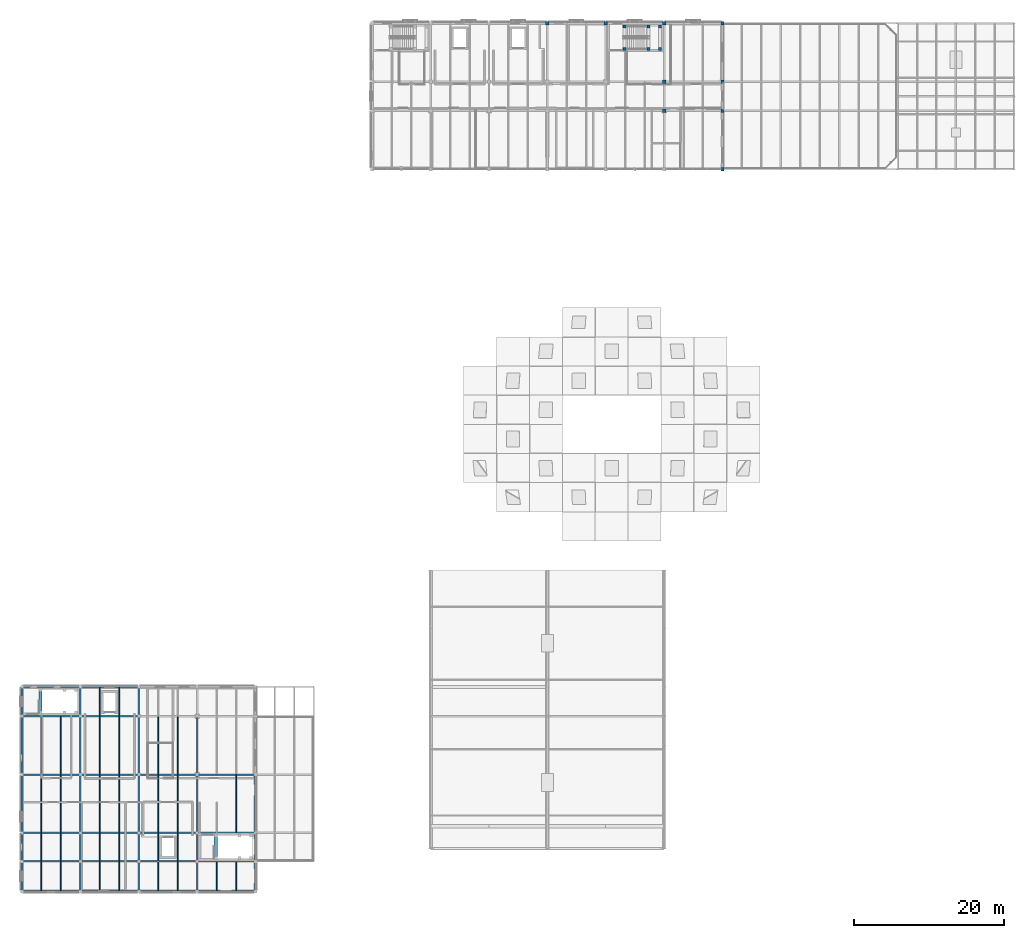
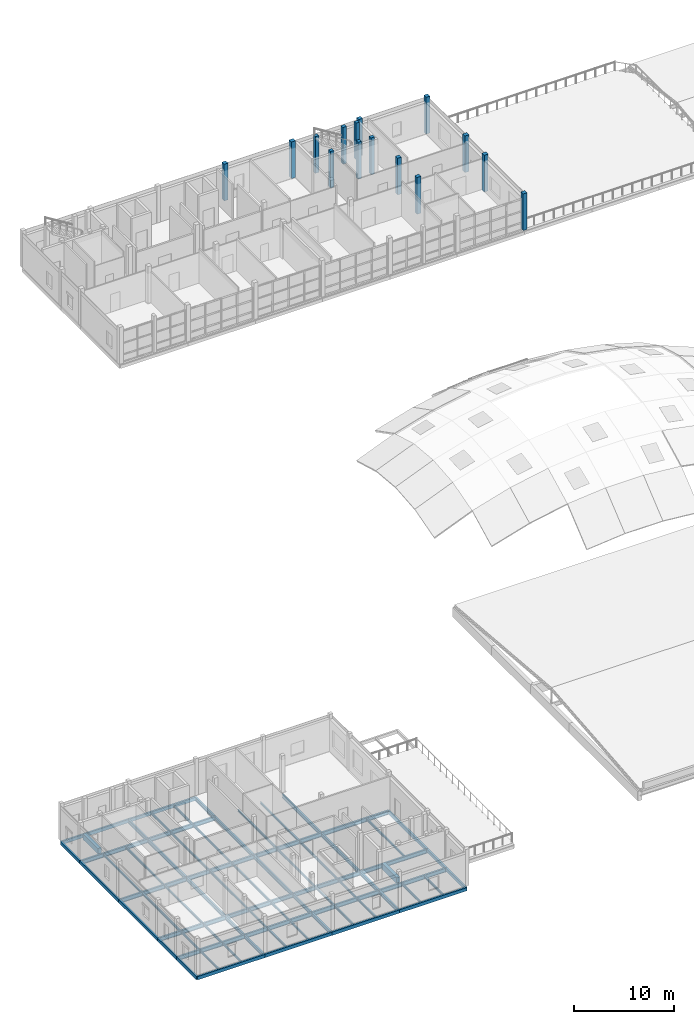
# One storey, part 2 of 45: 73 beams, 15 columns.
"""IFC4 building model written with IfcOpenShell, lengths in metres."""

from ifc_helpers import new_model, si_unit, direction, frame, origin, origin_2d, place, context, subcontext, project, spatial, rectangle, hollow_rectangle, i_section, extrude, material, material_profile, profile_set, type_object, element, save


model = new_model("IFC4")

# Units and contexts
model_context = context("Model", 3, precision=1e-05, world=origin(), true_north=direction((0.0, 1.0)))
body_context = subcontext(model_context, "Body", "Model", "MODEL_VIEW")
ifc_project = project(units=[si_unit("LENGTHUNIT", "METRE"), si_unit("AREAUNIT", "SQUARE_METRE"), si_unit("VOLUMEUNIT", "CUBIC_METRE"), si_unit("PLANEANGLEUNIT", "RADIAN"), si_unit("MASSUNIT", "GRAM", prefix="KILO")], contexts=[model_context])

# Site, building, storey
site_placement = place(None, origin())
site = spatial("IfcSite", under=ifc_project, at=site_placement, CompositionType="ELEMENT")
building_placement = place(site_placement, origin())
building = spatial("IfcBuilding", under=site, at=building_placement, Name="Celorna Specialist Clinic", CompositionType="ELEMENT")
storey_placement = place(building_placement, frame((0.0, 0.0, 18.60009765625)))
storey = spatial("IfcBuildingStorey", under=building, at=storey_placement, Name="L04", CompositionType="ELEMENT", Elevation=18.60009765625)

# Columns
ifc_material_1 = material(Name="Concrete C35/45", Category="concrete")
ifc_material_profile_1 = material_profile(ifc_material_1, rectangle(XDim=0.449951171875, YDim=0.449951171875, at=origin_2d()), Name="RC 450x450")
ifc_profile_set_1 = profile_set([ifc_material_profile_1], Name="Concrete C35/45")
column_type_1 = type_object("IfcColumnType", Name="CT-07", PredefinedType="COLUMN", material=ifc_profile_set_1)
for number, where, z_axis, x_axis, name in (
    (1, (70.199951171875, 116.0, 0.0), (0.0, 0.0, 1.0), (1.0, 0.0, 0.0), "Column CT-07 L04 X10/YU"),
    (2, (78.0, 116.0, 0.0), (0.0, 0.0, 1.0), (1.0, 0.0, 0.0), "Column CT-07 L04 X11/YU"),
    (3, (85.800048828125, 104.300048828125, 0.0), (0.0, 0.0, 1.0), (1.0, 0.0, 0.0), "Column CT-07 L04 X12/YS"),
    (4, (85.800048828125, 108.199951171875, 0.0), (0.0, 0.0, 1.0), (1.0, 0.0, 0.0), "Column CT-07 L04 X12/YT"),
    (5, (85.800048828125, 116.0, 0.0), (0.0, 0.0, 1.0), (1.0, 0.0, 0.0), "Column CT-07 L04 X12/YU"),
    (6, (93.60009765625, 96.5, 0.0), (0.0, 0.0, 1.0), (1.0, 0.0, 0.0), "Column CT-07 L04 X13/YR"),
    (7, (93.60009765625, 104.300048828125, 0.0), (0.0, 0.0, 1.0), (1.0, 0.0, 0.0), "Column CT-07 L04 X13/YS"),
    (8, (93.60009765625, 108.199951171875, 0.0), (0.0, 0.0, 1.0), (1.0, 0.0, 0.0), "Column CT-07 L04 X13/YT"),
    (9, (93.60009765625, 116.0, 0.0), (0.0, 0.0, 1.0), (1.0, 0.0, 0.0), "Column CT-07 L04 X13/YU"),
):
    element("IfcColumn", number, at=place(storey_placement, frame(where, z_axis=z_axis, x_axis=x_axis)), inside=storey, type_object=column_type_1, Name=name, PredefinedType="COLUMN", context=body_context, shape_type="SweptSolid", body=[
        extrude(rectangle(XDim=0.449951171875, YDim=0.449951171875, at=origin_2d()), origin(), (0.0, 0.0, 1.0), 4.5),
    ])
ifc_material_profile_2 = material_profile(ifc_material_1, rectangle(XDim=0.39990234375, YDim=0.39990234375, at=origin_2d()), Name="RC 400x400")
ifc_profile_set_2 = profile_set([ifc_material_profile_2], Name="Concrete C35/45")
column_type_2 = type_object("IfcColumnType", Name="CT-08", PredefinedType="COLUMN", material=ifc_profile_set_2)
for number, where, z_axis, x_axis, name in (
    (10, (80.52001953125, 112.570068359375, 0.0), (0.0, 0.0, 1.0), (1.0, 0.0, 0.0), "Stair ST-02 landing column CT-08 L04 X11/YU"),
    (11, (80.52001953125, 115.570068359375, 0.0), (0.0, 0.0, 1.0), (1.0, 0.0, 0.0), "Stair ST-02 landing column CT-08 L04 X11/YU"),
    (12, (83.719970703125, 112.570068359375, 0.0), (0.0, 0.0, 1.0), (1.0, 0.0, 0.0), "Stair ST-02 landing column CT-08 L04 X12/YU"),
    (13, (83.719970703125, 115.570068359375, 0.0), (0.0, 0.0, 1.0), (1.0, 0.0, 0.0), "Stair ST-02 landing column CT-08 L04 X12/YU"),
    (14, (85.239990234375, 112.570068359375, 0.0), (0.0, 0.0, 1.0), (1.0, 0.0, 0.0), "Stair ST-02 landing column CT-08 L04 X12/YU"),
    (15, (85.239990234375, 115.570068359375, 0.0), (0.0, 0.0, 1.0), (1.0, 0.0, 0.0), "Stair ST-02 landing column CT-08 L04 X12/YU"),
):
    element("IfcColumn", number, at=place(storey_placement, frame(where, z_axis=z_axis, x_axis=x_axis)), inside=storey, type_object=column_type_2, Name=name, PredefinedType="COLUMN", context=body_context, shape_type="SweptSolid", body=[
        extrude(rectangle(XDim=0.39990234375, YDim=0.39990234375, at=origin_2d()), origin(), (0.0, 0.0, 1.0), 4.5),
    ])

# Beams
ifc_material_2 = material(Name="Steel S355", Category="steel")
ifc_material_profile_3 = material_profile(ifc_material_2, i_section(OverallWidth=0.199951171875, OverallDepth=0.5, WebThickness=0.01025390625, FlangeThickness=0.01611328125, at=origin_2d()), Name="IPE 500")
ifc_profile_set_3 = profile_set([ifc_material_profile_3], Name="Steel S355")
beam_type_1 = type_object("IfcBeamType", Name="BM-08", PredefinedType="BEAM", material=ifc_profile_set_3)
for number, where, z_axis, x_axis, name in (
    (16, (0.0, 4.0, -0.530029296875), (1.0, 0.0, 0.0), (0.0, 1.0, 0.0), "Primary girder BM-08 #1934"),
    (17, (7.800048828125, 4.0, -0.530029296875), (1.0, 0.0, 0.0), (0.0, 1.0, 0.0), "Primary girder BM-08 #1935"),
):
    element("IfcBeam", number, at=place(storey_placement, frame(where, z_axis=z_axis, x_axis=x_axis)), inside=storey, type_object=beam_type_1, Name=name, PredefinedType="BEAM", context=body_context, shape_type="SweptSolid", body=[
        extrude(i_section(OverallWidth=0.199951171875, OverallDepth=0.5, WebThickness=0.01025390625, FlangeThickness=0.01611328125, at=origin_2d()), origin(), (0.0, 0.0, 1.0), 7.800048828125),
    ])
beam_1_placement = place(storey_placement, frame((15.60009765625, 4.0, -0.530029296875), z_axis=(1.0, 0.0, 0.0), x_axis=(0.0, 1.0, 0.0)))
element("IfcBeam", 18, at=beam_1_placement, inside=storey, type_object=beam_type_1, Name="Primary girder BM-08 #1936", PredefinedType="BEAM", context=body_context, shape_type="SweptSolid", body=[
    extrude(i_section(OverallWidth=0.199951171875, OverallDepth=0.5, WebThickness=0.01025390625, FlangeThickness=0.01611328125, at=origin_2d()), origin(), (0.0, 0.0, 1.0), 7.7998046875),
])
for number, where, z_axis, x_axis, name in (
    (19, (23.39990234375, 4.0, -0.530029296875), (1.0, 0.0, 0.0), (0.0, 1.0, 0.0), "Primary girder BM-08 #1937"),
    (20, (0.0, 7.800048828125, -0.530029296875), (1.0, 0.0, 0.0), (0.0, 1.0, 0.0), "Primary girder BM-08 #1938"),
    (21, (7.800048828125, 7.800048828125, -0.530029296875), (1.0, 0.0, 0.0), (0.0, 1.0, 0.0), "Primary girder BM-08 #1939"),
):
    element("IfcBeam", number, at=place(storey_placement, frame(where, z_axis=z_axis, x_axis=x_axis)), inside=storey, type_object=beam_type_1, Name=name, PredefinedType="BEAM", context=body_context, shape_type="SweptSolid", body=[
        extrude(i_section(OverallWidth=0.199951171875, OverallDepth=0.5, WebThickness=0.01025390625, FlangeThickness=0.01611328125, at=origin_2d()), origin(), (0.0, 0.0, 1.0), 7.800048828125),
    ])
beam_2_placement = place(storey_placement, frame((15.60009765625, 7.800048828125, -0.530029296875), z_axis=(1.0, 0.0, 0.0), x_axis=(0.0, 1.0, 0.0)))
element("IfcBeam", 22, at=beam_2_placement, inside=storey, type_object=beam_type_1, Name="Primary girder BM-08 #1940", PredefinedType="BEAM", context=body_context, shape_type="SweptSolid", body=[
    extrude(i_section(OverallWidth=0.199951171875, OverallDepth=0.5, WebThickness=0.01025390625, FlangeThickness=0.01611328125, at=origin_2d()), origin(), (0.0, 0.0, 1.0), 7.7998046875),
])
for number, where, z_axis, x_axis, name in (
    (23, (23.39990234375, 7.800048828125, -0.530029296875), (1.0, 0.0, 0.0), (0.0, 1.0, 0.0), "Primary girder BM-08 #1941"),
    (24, (0.0, 15.60009765625, -0.530029296875), (1.0, 0.0, 0.0), (0.0, 1.0, 0.0), "Primary girder BM-08 #1942"),
    (25, (7.800048828125, 15.60009765625, -0.530029296875), (1.0, 0.0, 0.0), (0.0, 1.0, 0.0), "Primary girder BM-08 #1943"),
):
    element("IfcBeam", number, at=place(storey_placement, frame(where, z_axis=z_axis, x_axis=x_axis)), inside=storey, type_object=beam_type_1, Name=name, PredefinedType="BEAM", context=body_context, shape_type="SweptSolid", body=[
        extrude(i_section(OverallWidth=0.199951171875, OverallDepth=0.5, WebThickness=0.01025390625, FlangeThickness=0.01611328125, at=origin_2d()), origin(), (0.0, 0.0, 1.0), 7.800048828125),
    ])
beam_3_placement = place(storey_placement, frame((15.60009765625, 15.60009765625, -0.530029296875), z_axis=(1.0, 0.0, 0.0), x_axis=(0.0, 1.0, 0.0)))
element("IfcBeam", 26, at=beam_3_placement, inside=storey, type_object=beam_type_1, Name="Primary girder BM-08 #1944", PredefinedType="BEAM", context=body_context, shape_type="SweptSolid", body=[
    extrude(i_section(OverallWidth=0.199951171875, OverallDepth=0.5, WebThickness=0.01025390625, FlangeThickness=0.01611328125, at=origin_2d()), origin(), (0.0, 0.0, 1.0), 7.7998046875),
])
for number, where, z_axis, x_axis, name in (
    (27, (23.39990234375, 15.60009765625, -0.530029296875), (1.0, 0.0, 0.0), (0.0, 1.0, 0.0), "Primary girder BM-08 #1945"),
    (28, (0.0, 23.39990234375, -0.530029296875), (1.0, 0.0, 0.0), (0.0, 1.0, 0.0), "Primary girder BM-08 #1946"),
    (29, (7.800048828125, 23.39990234375, -0.530029296875), (1.0, 0.0, 0.0), (0.0, 1.0, 0.0), "Primary girder BM-08 #1947"),
):
    element("IfcBeam", number, at=place(storey_placement, frame(where, z_axis=z_axis, x_axis=x_axis)), inside=storey, type_object=beam_type_1, Name=name, PredefinedType="BEAM", context=body_context, shape_type="SweptSolid", body=[
        extrude(i_section(OverallWidth=0.199951171875, OverallDepth=0.5, WebThickness=0.01025390625, FlangeThickness=0.01611328125, at=origin_2d()), origin(), (0.0, 0.0, 1.0), 7.800048828125),
    ])
ifc_material_profile_4 = material_profile(ifc_material_2, i_section(OverallWidth=0.18994140625, OverallDepth=0.449951171875, WebThickness=0.009521484375, FlangeThickness=0.0146484375, at=origin_2d()), Name="IPE 450")
ifc_profile_set_4 = profile_set([ifc_material_profile_4], Name="Steel S355")
beam_type_2 = type_object("IfcBeamType", Name="BM-09", PredefinedType="BEAM", material=ifc_profile_set_4)
beam_4_placement = place(storey_placement, frame((7.800048828125, 0.0, -0.505126953125), z_axis=(0.0, 1.0, 0.0), x_axis=(-1.0, 0.0, 0.0)))
element("IfcBeam", 30, at=beam_4_placement, inside=storey, type_object=beam_type_2, Name="Transverse girder BM-09 #1959", PredefinedType="BEAM", context=body_context, shape_type="SweptSolid", body=[
    extrude(i_section(OverallWidth=0.18994140625, OverallDepth=0.449951171875, WebThickness=0.009521484375, FlangeThickness=0.0146484375, at=origin_2d()), origin(), (0.0, 0.0, 1.0), 4.0),
])
beam_5_placement = place(storey_placement, frame((7.800048828125, 4.0, -0.505126953125), z_axis=(0.0, 1.0, 0.0), x_axis=(-1.0, 0.0, 0.0)))
element("IfcBeam", 31, at=beam_5_placement, inside=storey, type_object=beam_type_2, Name="Transverse girder BM-09 #1960", PredefinedType="BEAM", context=body_context, shape_type="SweptSolid", body=[
    extrude(i_section(OverallWidth=0.18994140625, OverallDepth=0.449951171875, WebThickness=0.009521484375, FlangeThickness=0.0146484375, at=origin_2d()), origin(), (0.0, 0.0, 1.0), 3.800048828125),
])
beam_6_placement = place(storey_placement, frame((7.800048828125, 7.800048828125, -0.505126953125), z_axis=(0.0, 1.0, 0.0), x_axis=(-1.0, 0.0, 0.0)))
element("IfcBeam", 32, at=beam_6_placement, inside=storey, type_object=beam_type_2, Name="Transverse girder BM-09 #1961", PredefinedType="BEAM", context=body_context, shape_type="SweptSolid", body=[
    extrude(i_section(OverallWidth=0.18994140625, OverallDepth=0.449951171875, WebThickness=0.009521484375, FlangeThickness=0.0146484375, at=origin_2d()), origin(), (0.0, 0.0, 1.0), 7.800048828125),
])
beam_7_placement = place(storey_placement, frame((7.800048828125, 15.60009765625, -0.505126953125), z_axis=(0.0, 1.0, 0.0), x_axis=(-1.0, 0.0, 0.0)))
element("IfcBeam", 33, at=beam_7_placement, inside=storey, type_object=beam_type_2, Name="Transverse girder BM-09 #1962", PredefinedType="BEAM", context=body_context, shape_type="SweptSolid", body=[
    extrude(i_section(OverallWidth=0.18994140625, OverallDepth=0.449951171875, WebThickness=0.009521484375, FlangeThickness=0.0146484375, at=origin_2d()), origin(), (0.0, 0.0, 1.0), 7.7998046875),
])
beam_8_placement = place(storey_placement, frame((7.800048828125, 23.39990234375, -0.505126953125), z_axis=(0.0, 1.0, 0.0), x_axis=(-1.0, 0.0, 0.0)))
element("IfcBeam", 34, at=beam_8_placement, inside=storey, type_object=beam_type_2, Name="Transverse girder BM-09 #1963", PredefinedType="BEAM", context=body_context, shape_type="SweptSolid", body=[
    extrude(i_section(OverallWidth=0.18994140625, OverallDepth=0.449951171875, WebThickness=0.009521484375, FlangeThickness=0.0146484375, at=origin_2d()), origin(), (0.0, 0.0, 1.0), 3.900146484375),
])
beam_9_placement = place(storey_placement, frame((15.60009765625, 0.0, -0.505126953125), z_axis=(0.0, 1.0, 0.0), x_axis=(-1.0, 0.0, 0.0)))
element("IfcBeam", 35, at=beam_9_placement, inside=storey, type_object=beam_type_2, Name="Transverse girder BM-09 #1964", PredefinedType="BEAM", context=body_context, shape_type="SweptSolid", body=[
    extrude(i_section(OverallWidth=0.18994140625, OverallDepth=0.449951171875, WebThickness=0.009521484375, FlangeThickness=0.0146484375, at=origin_2d()), origin(), (0.0, 0.0, 1.0), 4.0),
])
beam_10_placement = place(storey_placement, frame((15.60009765625, 4.0, -0.505126953125), z_axis=(0.0, 1.0, 0.0), x_axis=(-1.0, 0.0, 0.0)))
element("IfcBeam", 36, at=beam_10_placement, inside=storey, type_object=beam_type_2, Name="Transverse girder BM-09 #1965", PredefinedType="BEAM", context=body_context, shape_type="SweptSolid", body=[
    extrude(i_section(OverallWidth=0.18994140625, OverallDepth=0.449951171875, WebThickness=0.009521484375, FlangeThickness=0.0146484375, at=origin_2d()), origin(), (0.0, 0.0, 1.0), 3.800048828125),
])
beam_11_placement = place(storey_placement, frame((15.60009765625, 7.800048828125, -0.505126953125), z_axis=(0.0, 1.0, 0.0), x_axis=(-1.0, 0.0, 0.0)))
element("IfcBeam", 37, at=beam_11_placement, inside=storey, type_object=beam_type_2, Name="Transverse girder BM-09 #1966", PredefinedType="BEAM", context=body_context, shape_type="SweptSolid", body=[
    extrude(i_section(OverallWidth=0.18994140625, OverallDepth=0.449951171875, WebThickness=0.009521484375, FlangeThickness=0.0146484375, at=origin_2d()), origin(), (0.0, 0.0, 1.0), 7.800048828125),
])
beam_12_placement = place(storey_placement, frame((15.60009765625, 15.60009765625, -0.505126953125), z_axis=(0.0, 1.0, 0.0), x_axis=(-1.0, 0.0, 0.0)))
element("IfcBeam", 38, at=beam_12_placement, inside=storey, type_object=beam_type_2, Name="Transverse girder BM-09 #1967", PredefinedType="BEAM", context=body_context, shape_type="SweptSolid", body=[
    extrude(i_section(OverallWidth=0.18994140625, OverallDepth=0.449951171875, WebThickness=0.009521484375, FlangeThickness=0.0146484375, at=origin_2d()), origin(), (0.0, 0.0, 1.0), 7.7998046875),
])
beam_13_placement = place(storey_placement, frame((15.60009765625, 23.39990234375, -0.505126953125), z_axis=(0.0, 1.0, 0.0), x_axis=(-1.0, 0.0, 0.0)))
element("IfcBeam", 39, at=beam_13_placement, inside=storey, type_object=beam_type_2, Name="Transverse girder BM-09 #1968", PredefinedType="BEAM", context=body_context, shape_type="SweptSolid", body=[
    extrude(i_section(OverallWidth=0.18994140625, OverallDepth=0.449951171875, WebThickness=0.009521484375, FlangeThickness=0.0146484375, at=origin_2d()), origin(), (0.0, 0.0, 1.0), 3.900146484375),
])
beam_14_placement = place(storey_placement, frame((23.39990234375, 0.0, -0.505126953125), z_axis=(0.0, 1.0, 0.0), x_axis=(-1.0, 0.0, 0.0)))
element("IfcBeam", 40, at=beam_14_placement, inside=storey, type_object=beam_type_2, Name="Transverse girder BM-09 #1969", PredefinedType="BEAM", context=body_context, shape_type="SweptSolid", body=[
    extrude(i_section(OverallWidth=0.18994140625, OverallDepth=0.449951171875, WebThickness=0.009521484375, FlangeThickness=0.0146484375, at=origin_2d()), origin(), (0.0, 0.0, 1.0), 4.0),
])
beam_15_placement = place(storey_placement, frame((23.39990234375, 4.0, -0.505126953125), z_axis=(0.0, 1.0, 0.0), x_axis=(-1.0, 0.0, 0.0)))
element("IfcBeam", 41, at=beam_15_placement, inside=storey, type_object=beam_type_2, Name="Transverse girder BM-09 #1970", PredefinedType="BEAM", context=body_context, shape_type="SweptSolid", body=[
    extrude(i_section(OverallWidth=0.18994140625, OverallDepth=0.449951171875, WebThickness=0.009521484375, FlangeThickness=0.0146484375, at=origin_2d()), origin(), (0.0, 0.0, 1.0), 3.800048828125),
])
beam_16_placement = place(storey_placement, frame((23.39990234375, 7.800048828125, -0.505126953125), z_axis=(0.0, 1.0, 0.0), x_axis=(-1.0, 0.0, 0.0)))
element("IfcBeam", 42, at=beam_16_placement, inside=storey, type_object=beam_type_2, Name="Transverse girder BM-09 #1971", PredefinedType="BEAM", context=body_context, shape_type="SweptSolid", body=[
    extrude(i_section(OverallWidth=0.18994140625, OverallDepth=0.449951171875, WebThickness=0.009521484375, FlangeThickness=0.0146484375, at=origin_2d()), origin(), (0.0, 0.0, 1.0), 7.800048828125),
])
beam_17_placement = place(storey_placement, frame((23.39990234375, 15.60009765625, -0.505126953125), z_axis=(0.0, 1.0, 0.0), x_axis=(-1.0, 0.0, 0.0)))
element("IfcBeam", 43, at=beam_17_placement, inside=storey, type_object=beam_type_2, Name="Transverse girder BM-09 #1972", PredefinedType="BEAM", context=body_context, shape_type="SweptSolid", body=[
    extrude(i_section(OverallWidth=0.18994140625, OverallDepth=0.449951171875, WebThickness=0.009521484375, FlangeThickness=0.0146484375, at=origin_2d()), origin(), (0.0, 0.0, 1.0), 7.7998046875),
])
ifc_material_profile_5 = material_profile(ifc_material_2, i_section(OverallWidth=0.135009765625, OverallDepth=0.27001953125, WebThickness=0.006591796875, FlangeThickness=0.01025390625, at=origin_2d()), Name="IPE 270")
ifc_profile_set_5 = profile_set([ifc_material_profile_5], Name="Steel S355")
beam_type_3 = type_object("IfcBeamType", Name="BM-14", PredefinedType="JOIST", material=ifc_profile_set_5)
for number, where, z_axis, x_axis, name in (
    (44, (2.60009765625, 0.087890625, -0.4150390625), (0.0, 1.0, 0.0), (-1.0, 0.0, 0.0), "Secondary floor joist BM-14 #1979"),
    (45, (5.199951171875, 0.087890625, -0.4150390625), (0.0, 1.0, 0.0), (-1.0, 0.0, 0.0), "Secondary floor joist BM-14 #1980"),
):
    element("IfcBeam", number, at=place(storey_placement, frame(where, z_axis=z_axis, x_axis=x_axis)), inside=storey, type_object=beam_type_3, Name=name, PredefinedType="JOIST", context=body_context, shape_type="SweptSolid", body=[
        extrude(i_section(OverallWidth=0.135009765625, OverallDepth=0.27001953125, WebThickness=0.006591796875, FlangeThickness=0.01025390625, at=origin_2d()), origin(), (0.0, 0.0, 1.0), 3.82421875),
    ])
for number, where, z_axis, x_axis, name in (
    (46, (2.60009765625, 4.087890625, -0.4150390625), (0.0, 1.0, 0.0), (-1.0, 0.0, 0.0), "Secondary floor joist BM-14 #1981"),
    (47, (5.199951171875, 4.087890625, -0.4150390625), (0.0, 1.0, 0.0), (-1.0, 0.0, 0.0), "Secondary floor joist BM-14 #1982"),
):
    element("IfcBeam", number, at=place(storey_placement, frame(where, z_axis=z_axis, x_axis=x_axis)), inside=storey, type_object=beam_type_3, Name=name, PredefinedType="JOIST", context=body_context, shape_type="SweptSolid", body=[
        extrude(i_section(OverallWidth=0.135009765625, OverallDepth=0.27001953125, WebThickness=0.006591796875, FlangeThickness=0.01025390625, at=origin_2d()), origin(), (0.0, 0.0, 1.0), 3.6240234375),
    ])
for number, where, z_axis, x_axis, name in (
    (48, (2.60009765625, 7.887939453125, -0.4150390625), (0.0, 1.0, 0.0), (-1.0, 0.0, 0.0), "Secondary floor joist BM-14 #1983"),
    (49, (5.199951171875, 7.887939453125, -0.4150390625), (0.0, 1.0, 0.0), (-1.0, 0.0, 0.0), "Secondary floor joist BM-14 #1984"),
    (50, (2.60009765625, 15.68798828125, -0.4150390625), (0.0, 1.0, 0.0), (-1.0, 0.0, 0.0), "Secondary floor joist BM-14 #1985"),
    (51, (5.199951171875, 15.68798828125, -0.4150390625), (0.0, 1.0, 0.0), (-1.0, 0.0, 0.0), "Secondary floor joist BM-14 #1986"),
):
    element("IfcBeam", number, at=place(storey_placement, frame(where, z_axis=z_axis, x_axis=x_axis)), inside=storey, type_object=beam_type_3, Name=name, PredefinedType="JOIST", context=body_context, shape_type="SweptSolid", body=[
        extrude(i_section(OverallWidth=0.135009765625, OverallDepth=0.27001953125, WebThickness=0.006591796875, FlangeThickness=0.01025390625, at=origin_2d()), origin(), (0.0, 0.0, 1.0), 7.6240234375),
    ])
for number, where, z_axis, x_axis, name in (
    (52, (10.39990234375, 0.087890625, -0.4150390625), (0.0, 1.0, 0.0), (-1.0, 0.0, 0.0), "Secondary floor joist BM-14 #1987"),
    (53, (13.0, 0.087890625, -0.4150390625), (0.0, 1.0, 0.0), (-1.0, 0.0, 0.0), "Secondary floor joist BM-14 #1988"),
):
    element("IfcBeam", number, at=place(storey_placement, frame(where, z_axis=z_axis, x_axis=x_axis)), inside=storey, type_object=beam_type_3, Name=name, PredefinedType="JOIST", context=body_context, shape_type="SweptSolid", body=[
        extrude(i_section(OverallWidth=0.135009765625, OverallDepth=0.27001953125, WebThickness=0.006591796875, FlangeThickness=0.01025390625, at=origin_2d()), origin(), (0.0, 0.0, 1.0), 3.82421875),
    ])
for number, where, z_axis, x_axis, name in (
    (54, (10.39990234375, 4.087890625, -0.4150390625), (0.0, 1.0, 0.0), (-1.0, 0.0, 0.0), "Secondary floor joist BM-14 #1989"),
    (55, (13.0, 4.087890625, -0.4150390625), (0.0, 1.0, 0.0), (-1.0, 0.0, 0.0), "Secondary floor joist BM-14 #1990"),
):
    element("IfcBeam", number, at=place(storey_placement, frame(where, z_axis=z_axis, x_axis=x_axis)), inside=storey, type_object=beam_type_3, Name=name, PredefinedType="JOIST", context=body_context, shape_type="SweptSolid", body=[
        extrude(i_section(OverallWidth=0.135009765625, OverallDepth=0.27001953125, WebThickness=0.006591796875, FlangeThickness=0.01025390625, at=origin_2d()), origin(), (0.0, 0.0, 1.0), 3.6240234375),
    ])
for number, where, z_axis, x_axis, name in (
    (56, (10.39990234375, 7.887939453125, -0.4150390625), (0.0, 1.0, 0.0), (-1.0, 0.0, 0.0), "Secondary floor joist BM-14 #1991"),
    (57, (13.0, 7.887939453125, -0.4150390625), (0.0, 1.0, 0.0), (-1.0, 0.0, 0.0), "Secondary floor joist BM-14 #1992"),
    (58, (10.39990234375, 15.68798828125, -0.4150390625), (0.0, 1.0, 0.0), (-1.0, 0.0, 0.0), "Secondary floor joist BM-14 #1993"),
    (59, (13.0, 15.68798828125, -0.4150390625), (0.0, 1.0, 0.0), (-1.0, 0.0, 0.0), "Secondary floor joist BM-14 #1994"),
):
    element("IfcBeam", number, at=place(storey_placement, frame(where, z_axis=z_axis, x_axis=x_axis)), inside=storey, type_object=beam_type_3, Name=name, PredefinedType="JOIST", context=body_context, shape_type="SweptSolid", body=[
        extrude(i_section(OverallWidth=0.135009765625, OverallDepth=0.27001953125, WebThickness=0.006591796875, FlangeThickness=0.01025390625, at=origin_2d()), origin(), (0.0, 0.0, 1.0), 7.6240234375),
    ])
for number, where, z_axis, x_axis, name in (
    (60, (10.39990234375, 23.488037109375, -0.4150390625), (0.0, 1.0, 0.0), (-1.0, 0.0, 0.0), "Secondary floor joist BM-14 #1995"),
    (61, (13.0, 23.488037109375, -0.4150390625), (0.0, 1.0, 0.0), (-1.0, 0.0, 0.0), "Secondary floor joist BM-14 #1996"),
):
    element("IfcBeam", number, at=place(storey_placement, frame(where, z_axis=z_axis, x_axis=x_axis)), inside=storey, type_object=beam_type_3, Name=name, PredefinedType="JOIST", context=body_context, shape_type="SweptSolid", body=[
        extrude(i_section(OverallWidth=0.135009765625, OverallDepth=0.27001953125, WebThickness=0.006591796875, FlangeThickness=0.01025390625, at=origin_2d()), origin(), (0.0, 0.0, 1.0), 3.723876953125),
    ])
for number, where, z_axis, x_axis, name in (
    (62, (18.199951171875, 0.087890625, -0.4150390625), (0.0, 1.0, 0.0), (-1.0, 0.0, 0.0), "Secondary floor joist BM-14 #1997"),
    (63, (20.800048828125, 0.087890625, -0.4150390625), (0.0, 1.0, 0.0), (-1.0, 0.0, 0.0), "Secondary floor joist BM-14 #1998"),
):
    element("IfcBeam", number, at=place(storey_placement, frame(where, z_axis=z_axis, x_axis=x_axis)), inside=storey, type_object=beam_type_3, Name=name, PredefinedType="JOIST", context=body_context, shape_type="SweptSolid", body=[
        extrude(i_section(OverallWidth=0.135009765625, OverallDepth=0.27001953125, WebThickness=0.006591796875, FlangeThickness=0.01025390625, at=origin_2d()), origin(), (0.0, 0.0, 1.0), 3.82421875),
    ])
for number, where, z_axis, x_axis, name in (
    (64, (18.199951171875, 4.087890625, -0.4150390625), (0.0, 1.0, 0.0), (-1.0, 0.0, 0.0), "Secondary floor joist BM-14 #1999"),
    (65, (20.800048828125, 4.087890625, -0.4150390625), (0.0, 1.0, 0.0), (-1.0, 0.0, 0.0), "Secondary floor joist BM-14 #2000"),
):
    element("IfcBeam", number, at=place(storey_placement, frame(where, z_axis=z_axis, x_axis=x_axis)), inside=storey, type_object=beam_type_3, Name=name, PredefinedType="JOIST", context=body_context, shape_type="SweptSolid", body=[
        extrude(i_section(OverallWidth=0.135009765625, OverallDepth=0.27001953125, WebThickness=0.006591796875, FlangeThickness=0.01025390625, at=origin_2d()), origin(), (0.0, 0.0, 1.0), 3.6240234375),
    ])
for number, where, z_axis, x_axis, name in (
    (66, (18.199951171875, 7.887939453125, -0.4150390625), (0.0, 1.0, 0.0), (-1.0, 0.0, 0.0), "Secondary floor joist BM-14 #2001"),
    (67, (20.800048828125, 7.887939453125, -0.4150390625), (0.0, 1.0, 0.0), (-1.0, 0.0, 0.0), "Secondary floor joist BM-14 #2002"),
    (68, (18.199951171875, 15.68798828125, -0.4150390625), (0.0, 1.0, 0.0), (-1.0, 0.0, 0.0), "Secondary floor joist BM-14 #2003"),
    (69, (20.800048828125, 15.68798828125, -0.4150390625), (0.0, 1.0, 0.0), (-1.0, 0.0, 0.0), "Secondary floor joist BM-14 #2004"),
):
    element("IfcBeam", number, at=place(storey_placement, frame(where, z_axis=z_axis, x_axis=x_axis)), inside=storey, type_object=beam_type_3, Name=name, PredefinedType="JOIST", context=body_context, shape_type="SweptSolid", body=[
        extrude(i_section(OverallWidth=0.135009765625, OverallDepth=0.27001953125, WebThickness=0.006591796875, FlangeThickness=0.01025390625, at=origin_2d()), origin(), (0.0, 0.0, 1.0), 7.6240234375),
    ])
for number, where, z_axis, x_axis, name in (
    (70, (26.0, 0.087890625, -0.4150390625), (0.0, 1.0, 0.0), (-1.0, 0.0, 0.0), "Secondary floor joist BM-14 #2007"),
    (71, (28.60009765625, 0.087890625, -0.4150390625), (0.0, 1.0, 0.0), (-1.0, 0.0, 0.0), "Secondary floor joist BM-14 #2008"),
):
    element("IfcBeam", number, at=place(storey_placement, frame(where, z_axis=z_axis, x_axis=x_axis)), inside=storey, type_object=beam_type_3, Name=name, PredefinedType="JOIST", context=body_context, shape_type="SweptSolid", body=[
        extrude(i_section(OverallWidth=0.135009765625, OverallDepth=0.27001953125, WebThickness=0.006591796875, FlangeThickness=0.01025390625, at=origin_2d()), origin(), (0.0, 0.0, 1.0), 3.82421875),
    ])
beam_18_placement = place(storey_placement, frame((28.60009765625, 7.887939453125, -0.4150390625), z_axis=(0.0, 1.0, 0.0), x_axis=(-1.0, 0.0, 0.0)))
element("IfcBeam", 72, at=beam_18_placement, inside=storey, type_object=beam_type_3, Name="Secondary floor joist BM-14 #2009", PredefinedType="JOIST", context=body_context, shape_type="SweptSolid", body=[
    extrude(i_section(OverallWidth=0.135009765625, OverallDepth=0.27001953125, WebThickness=0.006591796875, FlangeThickness=0.01025390625, at=origin_2d()), origin(), (0.0, 0.0, 1.0), 7.6240234375),
])
ifc_material_profile_6 = material_profile(ifc_material_2, hollow_rectangle(XDim=0.199951171875, YDim=0.39990234375, WallThickness=0.011962890625, at=origin_2d()), Name="RHS 200x400x12")
ifc_profile_set_6 = profile_set([ifc_material_profile_6], Name="Steel S355")
beam_type_4 = type_object("IfcBeamType", Name="BM-15", PredefinedType="SPANDREL", material=ifc_profile_set_6)
for number, where, z_axis, x_axis, name in (
    (73, (0.0, 0.0, -0.47998046875), (1.0, 0.0, 0.0), (0.0, 1.0, 0.0), "Spandrel beam BM-15 #1930"),
    (74, (7.800048828125, 0.0, -0.47998046875), (1.0, 0.0, 0.0), (0.0, 1.0, 0.0), "Spandrel beam BM-15 #1931"),
):
    element("IfcBeam", number, at=place(storey_placement, frame(where, z_axis=z_axis, x_axis=x_axis)), inside=storey, type_object=beam_type_4, Name=name, PredefinedType="SPANDREL", context=body_context, shape_type="SweptSolid", body=[
        extrude(hollow_rectangle(XDim=0.199951171875, YDim=0.39990234375, WallThickness=0.011962890625, at=origin_2d()), origin(), (0.0, 0.0, 1.0), 7.800048828125),
    ])
beam_19_placement = place(storey_placement, frame((15.60009765625, 0.0, -0.47998046875), z_axis=(1.0, 0.0, 0.0), x_axis=(0.0, 1.0, 0.0)))
element("IfcBeam", 75, at=beam_19_placement, inside=storey, type_object=beam_type_4, Name="Spandrel beam BM-15 #1932", PredefinedType="SPANDREL", context=body_context, shape_type="SweptSolid", body=[
    extrude(hollow_rectangle(XDim=0.199951171875, YDim=0.39990234375, WallThickness=0.011962890625, at=origin_2d()), origin(), (0.0, 0.0, 1.0), 7.7998046875),
])
for number, where, z_axis, x_axis, name in (
    (76, (23.39990234375, 0.0, -0.47998046875), (1.0, 0.0, 0.0), (0.0, 1.0, 0.0), "Spandrel beam BM-15 #1933"),
    (77, (0.0, 27.300048828125, -0.47998046875), (1.0, 0.0, 0.0), (0.0, 1.0, 0.0), "Spandrel beam BM-15 #1950"),
    (78, (7.800048828125, 27.300048828125, -0.47998046875), (1.0, 0.0, 0.0), (0.0, 1.0, 0.0), "Spandrel beam BM-15 #1951"),
):
    element("IfcBeam", number, at=place(storey_placement, frame(where, z_axis=z_axis, x_axis=x_axis)), inside=storey, type_object=beam_type_4, Name=name, PredefinedType="SPANDREL", context=body_context, shape_type="SweptSolid", body=[
        extrude(hollow_rectangle(XDim=0.199951171875, YDim=0.39990234375, WallThickness=0.011962890625, at=origin_2d()), origin(), (0.0, 0.0, 1.0), 7.800048828125),
    ])
beam_20_placement = place(storey_placement, frame((0.0, 0.0, -0.47998046875), z_axis=(0.0, 1.0, 0.0), x_axis=(-1.0, 0.0, 0.0)))
element("IfcBeam", 79, at=beam_20_placement, inside=storey, type_object=beam_type_4, Name="Spandrel beam BM-15 #1954", PredefinedType="SPANDREL", context=body_context, shape_type="SweptSolid", body=[
    extrude(hollow_rectangle(XDim=0.199951171875, YDim=0.39990234375, WallThickness=0.011962890625, at=origin_2d()), origin(), (0.0, 0.0, 1.0), 4.0),
])
beam_21_placement = place(storey_placement, frame((0.0, 4.0, -0.47998046875), z_axis=(0.0, 1.0, 0.0), x_axis=(-1.0, 0.0, 0.0)))
element("IfcBeam", 80, at=beam_21_placement, inside=storey, type_object=beam_type_4, Name="Spandrel beam BM-15 #1955", PredefinedType="SPANDREL", context=body_context, shape_type="SweptSolid", body=[
    extrude(hollow_rectangle(XDim=0.199951171875, YDim=0.39990234375, WallThickness=0.011962890625, at=origin_2d()), origin(), (0.0, 0.0, 1.0), 3.800048828125),
])
beam_22_placement = place(storey_placement, frame((0.0, 7.800048828125, -0.47998046875), z_axis=(0.0, 1.0, 0.0), x_axis=(-1.0, 0.0, 0.0)))
element("IfcBeam", 81, at=beam_22_placement, inside=storey, type_object=beam_type_4, Name="Spandrel beam BM-15 #1956", PredefinedType="SPANDREL", context=body_context, shape_type="SweptSolid", body=[
    extrude(hollow_rectangle(XDim=0.199951171875, YDim=0.39990234375, WallThickness=0.011962890625, at=origin_2d()), origin(), (0.0, 0.0, 1.0), 7.800048828125),
])
beam_23_placement = place(storey_placement, frame((0.0, 15.60009765625, -0.47998046875), z_axis=(0.0, 1.0, 0.0), x_axis=(-1.0, 0.0, 0.0)))
element("IfcBeam", 82, at=beam_23_placement, inside=storey, type_object=beam_type_4, Name="Spandrel beam BM-15 #1957", PredefinedType="SPANDREL", context=body_context, shape_type="SweptSolid", body=[
    extrude(hollow_rectangle(XDim=0.199951171875, YDim=0.39990234375, WallThickness=0.011962890625, at=origin_2d()), origin(), (0.0, 0.0, 1.0), 7.7998046875),
])
beam_24_placement = place(storey_placement, frame((0.0, 23.39990234375, -0.47998046875), z_axis=(0.0, 1.0, 0.0), x_axis=(-1.0, 0.0, 0.0)))
element("IfcBeam", 83, at=beam_24_placement, inside=storey, type_object=beam_type_4, Name="Spandrel beam BM-15 #1958", PredefinedType="SPANDREL", context=body_context, shape_type="SweptSolid", body=[
    extrude(hollow_rectangle(XDim=0.199951171875, YDim=0.39990234375, WallThickness=0.011962890625, at=origin_2d()), origin(), (0.0, 0.0, 1.0), 3.900146484375),
])
beam_25_placement = place(storey_placement, frame((31.199951171875, 0.0, -0.47998046875), z_axis=(0.0, 1.0, 0.0), x_axis=(-1.0, 0.0, 0.0)))
element("IfcBeam", 84, at=beam_25_placement, inside=storey, type_object=beam_type_4, Name="Spandrel beam BM-15 #1974", PredefinedType="SPANDREL", context=body_context, shape_type="SweptSolid", body=[
    extrude(hollow_rectangle(XDim=0.199951171875, YDim=0.39990234375, WallThickness=0.011962890625, at=origin_2d()), origin(), (0.0, 0.0, 1.0), 4.0),
])
beam_26_placement = place(storey_placement, frame((31.199951171875, 4.0, -0.47998046875), z_axis=(0.0, 1.0, 0.0), x_axis=(-1.0, 0.0, 0.0)))
element("IfcBeam", 85, at=beam_26_placement, inside=storey, type_object=beam_type_4, Name="Spandrel beam BM-15 #1975", PredefinedType="SPANDREL", context=body_context, shape_type="SweptSolid", body=[
    extrude(hollow_rectangle(XDim=0.199951171875, YDim=0.39990234375, WallThickness=0.011962890625, at=origin_2d()), origin(), (0.0, 0.0, 1.0), 3.800048828125),
])
beam_27_placement = place(storey_placement, frame((31.199951171875, 7.800048828125, -0.47998046875), z_axis=(0.0, 1.0, 0.0), x_axis=(-1.0, 0.0, 0.0)))
element("IfcBeam", 86, at=beam_27_placement, inside=storey, type_object=beam_type_4, Name="Spandrel beam BM-15 #1976", PredefinedType="SPANDREL", context=body_context, shape_type="SweptSolid", body=[
    extrude(hollow_rectangle(XDim=0.199951171875, YDim=0.39990234375, WallThickness=0.011962890625, at=origin_2d()), origin(), (0.0, 0.0, 1.0), 7.800048828125),
])
ifc_material_profile_7 = material_profile(ifc_material_1, rectangle(XDim=0.39990234375, YDim=0.699951171875, at=origin_2d()), Name="RC 400x700")
ifc_profile_set_7 = profile_set([ifc_material_profile_7], Name="Concrete C35/45")
beam_type_5 = type_object("IfcBeamType", Name="BM-19", PredefinedType="BEAM", material=ifc_profile_set_7)
for number, where, z_axis, x_axis, name in (
    (87, (2.489990234375, 23.8701171875, -0.275146484375), (0.0, 1.0, 0.0), (-1.0, 0.0, 0.0), "Stair ST-04 floor landing trimmer beam L04"),
    (88, (25.889892578125, 4.429931640625, -0.275146484375), (0.0, 1.0, 0.0), (-1.0, 0.0, 0.0), "Stair ST-05 floor landing trimmer beam L04"),
):
    element("IfcBeam", number, at=place(storey_placement, frame(where, z_axis=z_axis, x_axis=x_axis)), inside=storey, type_object=beam_type_5, Name=name, PredefinedType="BEAM", context=body_context, shape_type="SweptSolid", body=[
        extrude(rectangle(XDim=0.39990234375, YDim=0.699951171875, at=origin_2d()), origin(), (0.0, 0.0, 1.0), 3.0),
    ])

save(model, "model.ifc")
